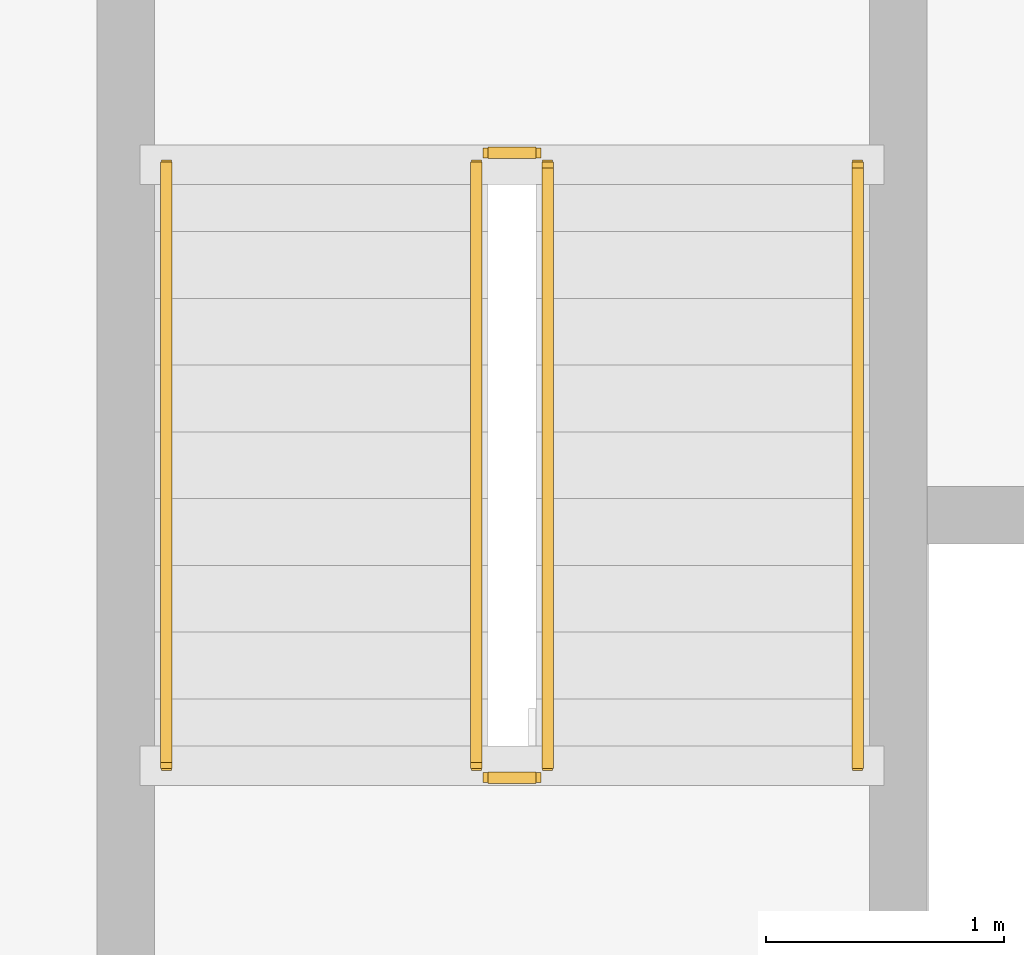
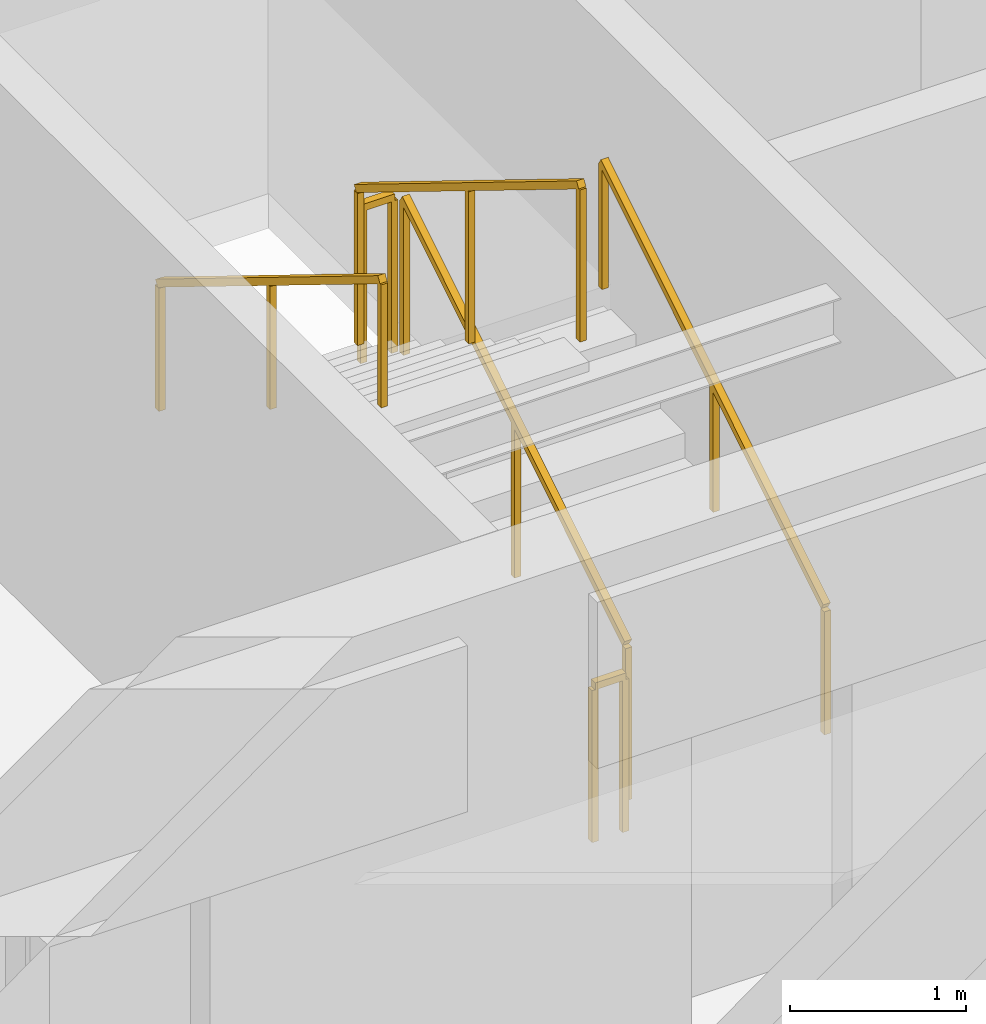
# One storey, part 11 of 13: 6 railings.
"""IFC4 building model written with IfcOpenShell, lengths in metres."""

from ifc_helpers import new_model, si_unit, direction, frame, origin, origin_2d, place, context, subcontext, project, spatial, rectangle, extrude, material, type_object, element, save


model = new_model("IFC4")

# Units and contexts
model_context = context("Model", 3, precision=1e-05, world=origin(), true_north=direction((0.0, 1.0)))
body_context = subcontext(model_context, "Body", "Model", "MODEL_VIEW")
ifc_project = project(units=[si_unit("LENGTHUNIT", "METRE"), si_unit("AREAUNIT", "SQUARE_METRE"), si_unit("VOLUMEUNIT", "CUBIC_METRE"), si_unit("PLANEANGLEUNIT", "RADIAN"), si_unit("MASSUNIT", "GRAM", prefix="KILO")], contexts=[model_context])

# Site, building, storey
site_placement = place(None, origin())
site = spatial("IfcSite", under=ifc_project, at=site_placement, CompositionType="ELEMENT")
building_placement = place(site_placement, origin())
building = spatial("IfcBuilding", under=site, at=building_placement, Name="Haldorwick Loom Tower", CompositionType="ELEMENT")
storey_placement = place(building_placement, frame((0.0, 0.0, 120.800048828125)))
storey = spatial("IfcBuildingStorey", under=building, at=storey_placement, Name="L32", CompositionType="ELEMENT", Elevation=120.800048828125)

# Railings
ifc_material = material(Name="Steel CSA G40.21 350W", Category="steel")
railing_type_1 = type_object("IfcRailingType", Name="ARC-RLG-GUARD112", PredefinedType="GUARDRAIL", material=ifc_material)
railing_1_placement = place(storey_placement, frame((31.89990234375, 28.39990234375, 0.17236328125)))
element("IfcRailing", 1, at=railing_1_placement, inside=storey, type_object=railing_type_1, Name="L32 ST-03 stair guard 1", PredefinedType="GUARDRAIL", context=body_context, shape_type="SweptSolid", body=[
    extrude(rectangle(XDim=0.048095703125, YDim=0.048095703125, at=origin_2d()), frame((0.0, 0.0, 1.076171875), z_axis=(0.0, 0.851400495292, 0.524516154772), x_axis=(-1.0, 0.0, 0.0)), (0.0, 0.0, 1.0), 2.9599609375),
    extrude(rectangle(XDim=0.0419921875, YDim=0.0419921875, at=origin_2d()), origin(), (0.0, 0.0, 1.0), 1.052001953125),
    extrude(rectangle(XDim=0.0419921875, YDim=0.0419921875, at=origin_2d()), frame((0.0, 1.260009765625, 0.7763671875)), (0.0, 0.0, 1.0), 1.052001953125),
    extrude(rectangle(XDim=0.0419921875, YDim=0.0419921875, at=origin_2d()), frame((0.0, 2.52001953125, 1.552490234375)), (0.0, 0.0, 1.0), 1.052001953125),
])
railing_2_placement = place(storey_placement, frame((31.85009765625, 30.969970703125, 1.724853515625)))
element("IfcRailing", 2, at=railing_2_placement, inside=storey, type_object=railing_type_1, Name="L32 ST-03 stair guard 2", PredefinedType="GUARDRAIL", context=body_context, shape_type="SweptSolid", body=[
    extrude(rectangle(XDim=0.048095703125, YDim=0.048095703125, at=origin_2d()), frame((0.0, 0.0, 1.076171875), z_axis=(-1.0, 0.0, 0.0), x_axis=(0.0, -1.0, 0.0)), (0.0, 0.0, 1.0), 0.2001953125),
    extrude(rectangle(XDim=0.0419921875, YDim=0.0419921875, at=origin_2d()), origin(), (0.0, 0.0, 1.0), 1.052001953125),
    extrude(rectangle(XDim=0.0419921875, YDim=0.0419921875, at=origin_2d()), frame((-0.2001953125, 0.0, 0.0)), (0.0, 0.0, 1.0), 1.052001953125),
])
railing_3_placement = place(storey_placement, frame((31.60009765625, 30.919921875, 1.8974609375)))
element("IfcRailing", 3, at=railing_3_placement, inside=storey, type_object=railing_type_1, Name="L32 ST-03 stair guard 3", PredefinedType="GUARDRAIL", context=body_context, shape_type="SweptSolid", body=[
    extrude(rectangle(XDim=0.048095703125, YDim=0.048095703125, at=origin_2d()), frame((0.0, 0.0, 1.076171875), z_axis=(0.0, -0.851400495292, 0.524516154772), x_axis=(1.0, 0.0, 0.0)), (0.0, 0.0, 1.0), 2.9599609375),
    extrude(rectangle(XDim=0.0419921875, YDim=0.0419921875, at=origin_2d()), origin(), (0.0, 0.0, 1.0), 1.052001953125),
    extrude(rectangle(XDim=0.0419921875, YDim=0.0419921875, at=origin_2d()), frame((0.0, -1.260009765625, 0.7763671875)), (0.0, 0.0, 1.0), 1.052001953125),
    extrude(rectangle(XDim=0.0419921875, YDim=0.0419921875, at=origin_2d()), frame((0.0, -2.52001953125, 1.552490234375)), (0.0, 0.0, 1.0), 1.052001953125),
])
railing_4_placement = place(storey_placement, frame((31.85009765625, 28.35009765625, 0.0)))
element("IfcRailing", 4, at=railing_4_placement, inside=storey, type_object=railing_type_1, Name="L32 ST-03 stair guard 4", PredefinedType="GUARDRAIL", context=body_context, shape_type="SweptSolid", body=[
    extrude(rectangle(XDim=0.048095703125, YDim=0.048095703125, at=origin_2d()), frame((0.0, 0.0, 1.076171875), z_axis=(-1.0, 0.0, 0.0), x_axis=(0.0, -1.0, 0.0)), (0.0, 0.0, 1.0), 0.2001953125),
    extrude(rectangle(XDim=0.0419921875, YDim=0.0419921875, at=origin_2d()), origin(), (0.0, 0.0, 1.0), 1.052001953125),
    extrude(rectangle(XDim=0.0419921875, YDim=0.0419921875, at=origin_2d()), frame((-0.2001953125, 0.0, 0.0)), (0.0, 0.0, 1.0), 1.052001953125),
])
railing_type_2 = type_object("IfcRailingType", Name="ARC-RLG-HAND092", PredefinedType="HANDRAIL", material=ifc_material)
railing_5_placement = place(storey_placement, frame((33.199951171875, 28.39990234375, 0.17236328125)))
element("IfcRailing", 5, at=railing_5_placement, inside=storey, type_object=railing_type_2, Name="L32 ST-03 stair handrail 1", PredefinedType="HANDRAIL", context=body_context, shape_type="SweptSolid", body=[
    extrude(rectangle(XDim=0.048095703125, YDim=0.048095703125, at=origin_2d()), frame((0.0, 0.0, 0.8759765625), z_axis=(0.0, 0.851400495292, 0.524516154772), x_axis=(-1.0, 0.0, 0.0)), (0.0, 0.0, 1.0), 2.9599609375),
    extrude(rectangle(XDim=0.0419921875, YDim=0.0419921875, at=origin_2d()), origin(), (0.0, 0.0, 1.0), 0.851806640625),
    extrude(rectangle(XDim=0.0419921875, YDim=0.0419921875, at=origin_2d()), frame((0.0, 1.260009765625, 0.7763671875)), (0.0, 0.0, 1.0), 0.851806640625),
    extrude(rectangle(XDim=0.0419921875, YDim=0.0419921875, at=origin_2d()), frame((0.0, 2.52001953125, 1.552490234375)), (0.0, 0.0, 1.0), 0.851806640625),
])
railing_6_placement = place(storey_placement, frame((30.300048828125, 30.919921875, 1.8974609375)))
element("IfcRailing", 6, at=railing_6_placement, inside=storey, type_object=railing_type_2, Name="L32 ST-03 stair handrail 2", PredefinedType="HANDRAIL", context=body_context, shape_type="SweptSolid", body=[
    extrude(rectangle(XDim=0.048095703125, YDim=0.048095703125, at=origin_2d()), frame((0.0, 0.0, 0.8759765625), z_axis=(0.0, -0.851400495292, 0.524516154772), x_axis=(1.0, 0.0, 0.0)), (0.0, 0.0, 1.0), 2.9599609375),
    extrude(rectangle(XDim=0.0419921875, YDim=0.0419921875, at=origin_2d()), origin(), (0.0, 0.0, 1.0), 0.851806640625),
    extrude(rectangle(XDim=0.0419921875, YDim=0.0419921875, at=origin_2d()), frame((0.0, -1.260009765625, 0.7763671875)), (0.0, 0.0, 1.0), 0.851806640625),
    extrude(rectangle(XDim=0.0419921875, YDim=0.0419921875, at=origin_2d()), frame((0.0, -2.52001953125, 1.552490234375)), (0.0, 0.0, 1.0), 0.851806640625),
])

save(model, "model.ifc")
